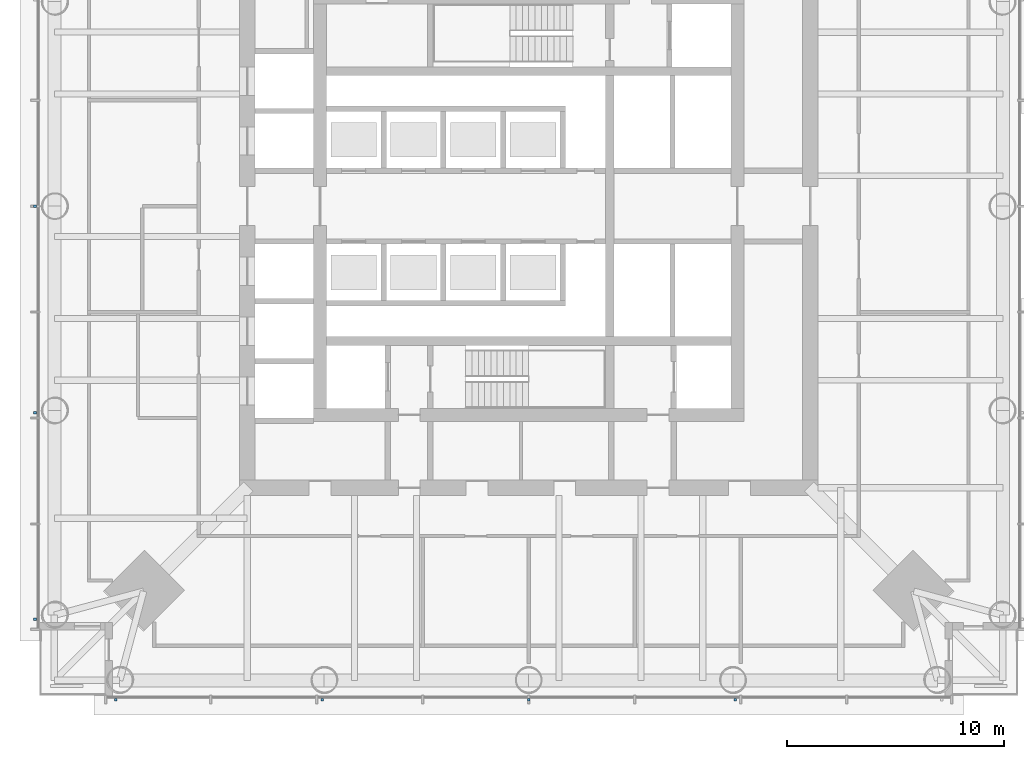
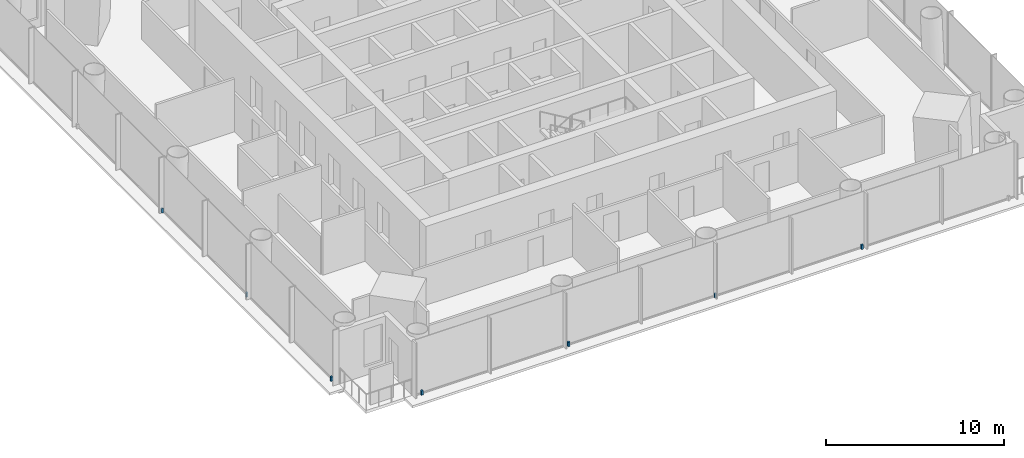
# One storey, part 18 of 27: 7 discrete accessories.
"""IFC4 building model written with IfcOpenShell, lengths in metres."""

from ifc_helpers import new_model, si_unit, direction, frame, origin, origin_2d, place, context, subcontext, project, spatial, rectangle, extrude, material, type_object, element, save


model = new_model("IFC4")

# Units and contexts
model_context = context("Model", 3, precision=1e-05, world=origin(), true_north=direction((0.0, 1.0)))
body_context = subcontext(model_context, "Body", "Model", "MODEL_VIEW")
ifc_project = project(units=[si_unit("LENGTHUNIT", "METRE"), si_unit("AREAUNIT", "SQUARE_METRE"), si_unit("VOLUMEUNIT", "CUBIC_METRE"), si_unit("PLANEANGLEUNIT", "RADIAN"), si_unit("MASSUNIT", "GRAM", prefix="KILO")], contexts=[model_context])

# Site, building, storey
site_placement = place(None, origin())
site = spatial("IfcSite", under=ifc_project, at=site_placement, CompositionType="ELEMENT")
building_placement = place(site_placement, origin())
building = spatial("IfcBuilding", under=site, at=building_placement, Name="Ostroluk Exchange", CompositionType="ELEMENT")
storey_placement = place(building_placement, frame((0.0, 0.0, 89.39990234375)))
storey = spatial("IfcBuildingStorey", under=building, at=storey_placement, Name="L22", CompositionType="ELEMENT", Elevation=89.39990234375)

# Discrete accessories
ifc_material = material(Name="Stainless steel", Category="steel")
discrete_accessory_type = type_object("IfcDiscreteAccessoryType", Name="Fall-arrest anchor PN-EN 795 type C", PredefinedType="USERDEFINED", material=ifc_material)
for number, where, z_axis, x_axis, name in (
    (1, (26.0, 23.2900390625, 0.0), (0.0, 0.0, 1.0), (1.0, 0.0, 0.0), "Fall-arrest anchor L22 south 1"),
    (2, (35.5, 23.2900390625, 0.0), (0.0, 0.0, 1.0), (1.0, 0.0, 0.0), "Fall-arrest anchor L22 south 2"),
    (3, (45.0, 23.2900390625, 0.0), (0.0, 0.0, 1.0), (1.0, 0.0, 0.0), "Fall-arrest anchor L22 south 3"),
    (4, (54.5, 23.2900390625, 0.0), (0.0, 0.0, 1.0), (1.0, 0.0, 0.0), "Fall-arrest anchor L22 south 4"),
    (5, (22.2900390625, 27.0, 0.0), (0.0, 0.0, 1.0), (1.0, 0.0, 0.0), "Fall-arrest anchor L22 west 1"),
    (6, (22.2900390625, 36.5, 0.0), (0.0, 0.0, 1.0), (1.0, 0.0, 0.0), "Fall-arrest anchor L22 west 2"),
    (7, (22.2900390625, 46.0, 0.0), (0.0, 0.0, 1.0), (1.0, 0.0, 0.0), "Fall-arrest anchor L22 west 3"),
):
    element("IfcDiscreteAccessory", number, at=place(storey_placement, frame(where, z_axis=z_axis, x_axis=x_axis)), inside=storey, type_object=discrete_accessory_type, Name=name, ObjectType="FALL ARREST ANCHOR", PredefinedType="USERDEFINED", context=body_context, shape_type="SweptSolid", body=[
        extrude(rectangle(XDim=0.1201171875, YDim=0.1201171875, at=origin_2d()), origin(), (0.0, 0.0, 1.0), 0.300048828125),
    ])

save(model, "model.ifc")
